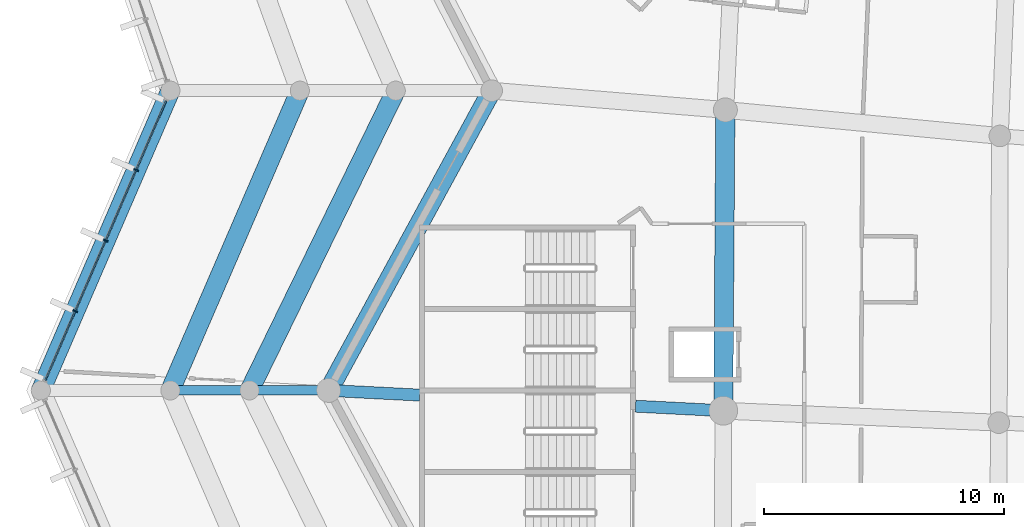
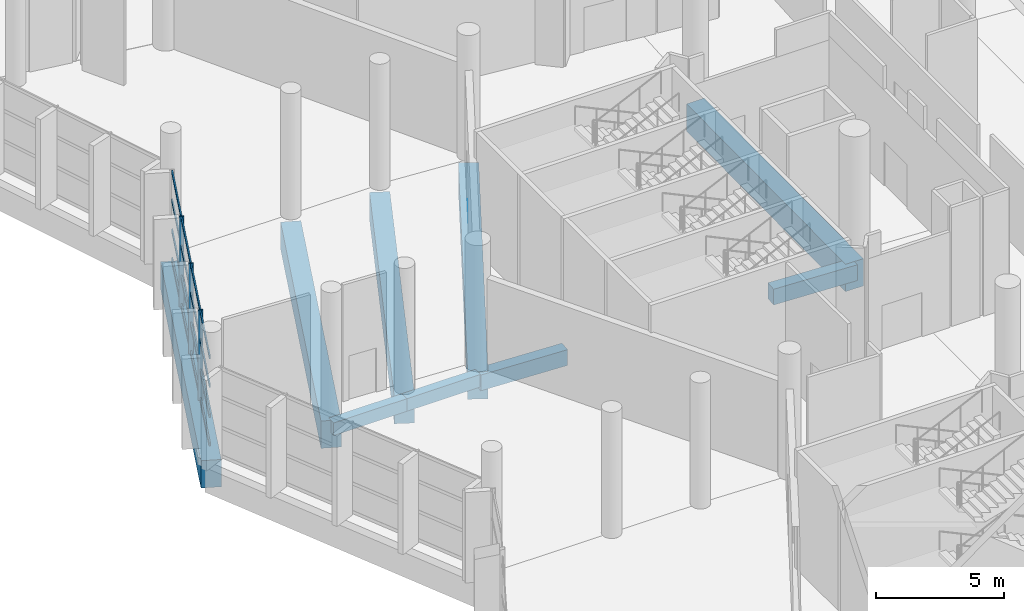
# One storey, part 54 of 249: 19 members, 9 beams, 1 element without a shape of its own.
"""IFC4 building model written with IfcOpenShell, lengths in metres."""

from ifc_helpers import new_model, si_unit, direction, frame, origin, origin_2d, place, context, subcontext, project, spatial, rectangle, extrude, material, layer, layer_set, material_profile, profile_set, type_object, element, aggregate, save


model = new_model("IFC4")

# Units and contexts
model_context = context("Model", 3, precision=1e-05, world=origin(), true_north=direction((0.0, 1.0)))
body_context = subcontext(model_context, "Body", "Model", "MODEL_VIEW")
ifc_project = project(units=[si_unit("LENGTHUNIT", "METRE"), si_unit("AREAUNIT", "SQUARE_METRE"), si_unit("VOLUMEUNIT", "CUBIC_METRE"), si_unit("PLANEANGLEUNIT", "RADIAN"), si_unit("MASSUNIT", "GRAM", prefix="KILO")], contexts=[model_context])

# Site, building, storey
site_placement = place(None, origin())
site = spatial("IfcSite", under=ifc_project, at=site_placement, CompositionType="ELEMENT")
building_placement = place(site_placement, origin())
building = spatial("IfcBuilding", under=site, at=building_placement, Name="Meseta Stadium", CompositionType="ELEMENT")
storey_placement = place(building_placement, frame((0.0, 0.0, 12.0)))
storey = spatial("IfcBuildingStorey", under=building, at=storey_placement, Name="L02", CompositionType="ELEMENT", Elevation=12.0)

# Beams
ifc_material_1 = material(Name="Concrete C40/50", Category="concrete")
ifc_material_profile_1 = material_profile(ifc_material_1, rectangle(XDim=0.39990234375, YDim=0.60009765625, at=origin_2d()), Name="RC 400x600")
ifc_profile_set_1 = profile_set([ifc_material_profile_1], Name="Concrete C40/50")
beam_type_1 = type_object("IfcBeamType", Name="RC beam 400x600", PredefinedType="BEAM", material=ifc_profile_set_1)
for number, where, z_axis, x_axis, name in (
    (1, (-101.39990234375, 31.25, -0.64990234375), (-1.0, 0.0, 0.0), (0.0, -1.0, 0.0), "L02 radial beam frame 30 line R to M"),
    (2, (-104.699951171875, 31.25, -0.64990234375), (-1.0, 0.0, 0.0), (0.0, -1.0, 0.0), "L02 radial beam frame 30 line M to Q"),
):
    element("IfcBeam", number, at=place(storey_placement, frame(where, z_axis=z_axis, x_axis=x_axis)), inside=storey, type_object=beam_type_1, Name=name, PredefinedType="BEAM", context=body_context, shape_type="SweptSolid", body=[
        extrude(rectangle(XDim=0.39990234375, YDim=0.60009765625, at=origin_2d()), origin(), (0.0, 0.0, 1.0), 3.300048828125),
    ])
ifc_material_2 = material(Name="Concrete C40/50", Category="concrete")
ifc_material_profile_2 = material_profile(ifc_material_2, rectangle(XDim=0.5, YDim=0.75, at=origin_2d()), Name="RC 500x750")
ifc_profile_set_2 = profile_set([ifc_material_profile_2], Name="Concrete C40/50")
beam_type_2 = type_object("IfcBeamType", Name="RC beam 500x750", PredefinedType="BEAM", material=ifc_profile_set_2)
beam_1_placement = place(storey_placement, frame((-84.940673828125, 30.404052734375, -0.72509765625), z_axis=(-0.998683115753, 0.051303355736, 0.0), x_axis=(-0.051303355736, -0.998683115753, 0.0)))
element("IfcBeam", 3, at=beam_1_placement, inside=storey, type_object=beam_type_2, Name="L02 radial beam frame 30 line P to R", PredefinedType="BEAM", context=body_context, shape_type="SweptSolid", body=[
    extrude(rectangle(XDim=0.5, YDim=0.75, at=origin_2d()), origin(), (0.0, 0.0, 1.0), 3.664306640625),
])
beam_2_placement = place(storey_placement, frame((-97.60009765625, 31.0546875, -0.72509765625), z_axis=(-0.998681597522, 0.05133290144, 0.0), x_axis=(-0.05133290144, -0.998681597522, 0.0)))
element("IfcBeam", 4, at=beam_2_placement, inside=storey, type_object=beam_type_2, Name="L02 radial beam frame 30 line P to R", PredefinedType="BEAM", context=body_context, shape_type="SweptSolid", body=[
    extrude(rectangle(XDim=0.5, YDim=0.75, at=origin_2d()), origin(), (0.0, 0.0, 1.0), 3.804931640625),
])
ifc_material_3 = material(Name="Concrete C40/50", Category="concrete")
ifc_material_profile_3 = material_profile(ifc_material_3, rectangle(XDim=0.800048828125, YDim=1.300048828125, at=origin_2d()), Name="RC 800x1300")
ifc_profile_set_3 = profile_set([ifc_material_profile_3], Name="Concrete C40/50")
beam_type_3 = type_object("IfcBeamType", Name="RC beam 800x1300", PredefinedType="BEAM", material=ifc_profile_set_3)
beam_3_placement = place(storey_placement, frame((-84.85400390625, 42.948486328125, -1.0), z_axis=(-0.006908869398, -0.999976133477, 0.0), x_axis=(0.999976133477, -0.006908869398, 0.0)))
element("IfcBeam", 5, at=beam_3_placement, inside=storey, type_object=beam_type_3, Name="L02 ring beam frame 29 line P", PredefinedType="BEAM", context=body_context, shape_type="SweptSolid", body=[
    extrude(rectangle(XDim=0.800048828125, YDim=1.300048828125, at=origin_2d()), origin(), (0.0, 0.0, 1.0), 12.544677734375),
])
beam_4_placement = place(storey_placement, frame((-94.60009765625, 43.75, -1.0), z_axis=(-0.47785649891, -0.878437912689, 0.0), x_axis=(0.878437912689, -0.47785649891, 0.0)))
element("IfcBeam", 6, at=beam_4_placement, inside=storey, type_object=beam_type_3, Name="L02 ring beam frame 29 line R", PredefinedType="BEAM", context=body_context, shape_type="SweptSolid", body=[
    extrude(rectangle(XDim=0.800048828125, YDim=1.300048828125, at=origin_2d()), origin(), (0.0, 0.0, 1.0), 14.229736328125),
])
beam_5_placement = place(storey_placement, frame((-98.60009765625, 43.75, -1.0), z_axis=(-0.438556770405, -0.898703487882, 0.0), x_axis=(0.898703487882, -0.438556770405, 0.0)))
element("IfcBeam", 7, at=beam_5_placement, inside=storey, type_object=beam_type_3, Name="L02 ring beam frame 29 line M", PredefinedType="BEAM", context=body_context, shape_type="SweptSolid", body=[
    extrude(rectangle(XDim=0.800048828125, YDim=1.300048828125, at=origin_2d()), origin(), (0.0, 0.0, 1.0), 13.908935546875),
])
for number, where, z_axis, x_axis, name in (
    (8, (-102.60009765625, 43.75, -1.0), (-0.396570645327, -0.918004206562, 0.0), (0.918004206562, -0.396570645327, 0.0), "L02 ring beam frame 29 line Q"),
    (9, (-108.0, 43.75, -1.0), (-0.396570645327, -0.918004206562, 0.0), (0.918004206562, -0.396570645327, 0.0), "L02 ring beam frame 29 line O"),
):
    element("IfcBeam", number, at=place(storey_placement, frame(where, z_axis=z_axis, x_axis=x_axis)), inside=storey, type_object=beam_type_3, Name=name, PredefinedType="BEAM", context=body_context, shape_type="SweptSolid", body=[
        extrude(rectangle(XDim=0.800048828125, YDim=1.300048828125, at=origin_2d()), origin(), (0.0, 0.0, 1.0), 13.616455078125),
    ])

# Curtain wall, members
ifc_material_4 = material(Name="Aluminium", Category="aluminium")
ifc_layer = layer(ifc_material_4, 0.199951171875)
ifc_layer_set = layer_set([ifc_layer], Name="Ring shopfront curtain wall")
curtain_wall_type = type_object("IfcCurtainWallType", Name="Ring shopfront curtain wall", PredefinedType="NOTDEFINED", material=ifc_layer_set)
curtain_wall_placement = place(storey_placement, origin())
curtain_wall = element("IfcCurtainWall", 10, at=curtain_wall_placement, inside=storey, type_object=curtain_wall_type, Name="Ring glazing L02 F29", PredefinedType="NOTDEFINED")
ifc_material_5 = material(Name="Aluminium", Category="aluminium")
ifc_material_profile_4 = material_profile(ifc_material_5, rectangle(XDim=0.199951171875, YDim=0.06005859375, at=origin_2d()), Name="CW 200x60")
ifc_profile_set_4 = profile_set([ifc_material_profile_4], Name="Aluminium")
member_type_1 = type_object("IfcMemberType", Name="Ring CW mullion 60x200", PredefinedType="MULLION", material=ifc_profile_set_4)
member_1_placement = place(storey_placement, frame((-109.42919921875, 40.44140625, 0.0), z_axis=(0.0, 0.0, 1.0), x_axis=(0.91799986854, -0.396580687073, 0.0)))
member_1 = element("IfcMember", 11, at=member_1_placement, type_object=member_type_1, Name="CWR1 mullion 2", PredefinedType="MULLION", context=body_context, shape_type="SweptSolid", body=[
    extrude(rectangle(XDim=0.199951171875, YDim=0.06005859375, at=origin_2d()), origin(), (0.0, 0.0, 1.0), 4.300048828125),
])
member_2_placement = place(storey_placement, frame((-110.699951171875, 37.5, 0.0), z_axis=(0.0, 0.0, 1.0), x_axis=(0.91799986854, -0.396580687073, 0.0)))
member_2 = element("IfcMember", 12, at=member_2_placement, type_object=member_type_1, Name="CWR1 mullion 3", PredefinedType="MULLION", context=body_context, shape_type="SweptSolid", body=[
    extrude(rectangle(XDim=0.199951171875, YDim=0.06005859375, at=origin_2d()), origin(), (0.0, 0.0, 1.0), 4.300048828125),
])
member_3_placement = place(storey_placement, frame((-111.970703125, 34.55859375, 0.0), z_axis=(0.0, 0.0, 1.0), x_axis=(0.91799986854, -0.396580687073, 0.0)))
member_3 = element("IfcMember", 13, at=member_3_placement, type_object=member_type_1, Name="CWR1 mullion 4", PredefinedType="MULLION", context=body_context, shape_type="SweptSolid", body=[
    extrude(rectangle(XDim=0.199951171875, YDim=0.06005859375, at=origin_2d()), origin(), (0.0, 0.0, 1.0), 4.300048828125),
])
ifc_material_6 = material(Name="Aluminium", Category="aluminium")
ifc_material_profile_5 = material_profile(ifc_material_6, rectangle(XDim=0.06005859375, YDim=0.14990234375, at=origin_2d()), Name="CW 60x150")
ifc_profile_set_5 = profile_set([ifc_material_profile_5], Name="Aluminium")
member_type_2 = type_object("IfcMemberType", Name="Ring CW transom 60x150", PredefinedType="USERDEFINED", material=ifc_profile_set_5)
member_4_placement = place(storey_placement, frame((-108.182373046875, 43.32763671875, 0.074951171875), z_axis=(-0.396623730244, -0.917981272471, 0.0), x_axis=(0.917981272471, -0.396623730244, 0.0)))
member_4 = element("IfcMember", 14, at=member_4_placement, type_object=member_type_2, Name="CWR1 transom 1.1", ObjectType="TRANSOM", PredefinedType="USERDEFINED", context=body_context, shape_type="SweptSolid", body=[
    extrude(rectangle(XDim=0.06005859375, YDim=0.14990234375, at=origin_2d()), origin(), (0.0, 0.0, 1.0), 3.114013671875),
])
member_5_placement = place(storey_placement, frame((-108.182373046875, 43.32763671875, 1.433349609375), z_axis=(-0.396623730244, -0.917981272471, 0.0), x_axis=(0.917981272471, -0.396623730244, 0.0)))
member_5 = element("IfcMember", 15, at=member_5_placement, type_object=member_type_2, Name="CWR1 transom 1.2", ObjectType="TRANSOM", PredefinedType="USERDEFINED", context=body_context, shape_type="SweptSolid", body=[
    extrude(rectangle(XDim=0.06005859375, YDim=0.14990234375, at=origin_2d()), origin(), (0.0, 0.0, 1.0), 3.114013671875),
])
member_6_placement = place(storey_placement, frame((-108.182373046875, 43.32763671875, 2.86669921875), z_axis=(-0.396623730244, -0.917981272471, 0.0), x_axis=(0.917981272471, -0.396623730244, 0.0)))
member_6 = element("IfcMember", 16, at=member_6_placement, type_object=member_type_2, Name="CWR1 transom 1.3", ObjectType="TRANSOM", PredefinedType="USERDEFINED", context=body_context, shape_type="SweptSolid", body=[
    extrude(rectangle(XDim=0.06005859375, YDim=0.14990234375, at=origin_2d()), origin(), (0.0, 0.0, 1.0), 3.114013671875),
])
member_7_placement = place(storey_placement, frame((-108.182373046875, 43.32763671875, 4.22509765625), z_axis=(-0.396623730244, -0.917981272471, 0.0), x_axis=(0.917981272471, -0.396623730244, 0.0)))
member_7 = element("IfcMember", 17, at=member_7_placement, type_object=member_type_2, Name="CWR1 transom 1.4", ObjectType="TRANSOM", PredefinedType="USERDEFINED", context=body_context, shape_type="SweptSolid", body=[
    extrude(rectangle(XDim=0.06005859375, YDim=0.14990234375, at=origin_2d()), origin(), (0.0, 0.0, 1.0), 3.114013671875),
])
member_8_placement = place(storey_placement, frame((-109.441162109375, 40.413818359375, 0.074951171875), z_axis=(-0.396569883564, -0.918004535637, 0.0), x_axis=(0.918004535637, -0.396569883564, 0.0)))
member_8 = element("IfcMember", 18, at=member_8_placement, type_object=member_type_2, Name="CWR1 transom 2.1", ObjectType="TRANSOM", PredefinedType="USERDEFINED", context=body_context, shape_type="SweptSolid", body=[
    extrude(rectangle(XDim=0.06005859375, YDim=0.14990234375, at=origin_2d()), origin(), (0.0, 0.0, 1.0), 3.14404296875),
])
member_9_placement = place(storey_placement, frame((-109.441162109375, 40.413818359375, 1.433349609375), z_axis=(-0.396569883564, -0.918004535637, 0.0), x_axis=(0.918004535637, -0.396569883564, 0.0)))
member_9 = element("IfcMember", 19, at=member_9_placement, type_object=member_type_2, Name="CWR1 transom 2.2", ObjectType="TRANSOM", PredefinedType="USERDEFINED", context=body_context, shape_type="SweptSolid", body=[
    extrude(rectangle(XDim=0.06005859375, YDim=0.14990234375, at=origin_2d()), origin(), (0.0, 0.0, 1.0), 3.14404296875),
])
member_10_placement = place(storey_placement, frame((-109.441162109375, 40.413818359375, 2.86669921875), z_axis=(-0.396569883564, -0.918004535637, 0.0), x_axis=(0.918004535637, -0.396569883564, 0.0)))
member_10 = element("IfcMember", 20, at=member_10_placement, type_object=member_type_2, Name="CWR1 transom 2.3", ObjectType="TRANSOM", PredefinedType="USERDEFINED", context=body_context, shape_type="SweptSolid", body=[
    extrude(rectangle(XDim=0.06005859375, YDim=0.14990234375, at=origin_2d()), origin(), (0.0, 0.0, 1.0), 3.14404296875),
])
member_11_placement = place(storey_placement, frame((-109.441162109375, 40.413818359375, 4.22509765625), z_axis=(-0.396569883564, -0.918004535637, 0.0), x_axis=(0.918004535637, -0.396569883564, 0.0)))
member_11 = element("IfcMember", 21, at=member_11_placement, type_object=member_type_2, Name="CWR1 transom 2.4", ObjectType="TRANSOM", PredefinedType="USERDEFINED", context=body_context, shape_type="SweptSolid", body=[
    extrude(rectangle(XDim=0.06005859375, YDim=0.14990234375, at=origin_2d()), origin(), (0.0, 0.0, 1.0), 3.14404296875),
])
member_12_placement = place(storey_placement, frame((-110.7119140625, 37.472412109375, 0.074951171875), z_axis=(-0.396569883564, -0.918004535637, 0.0), x_axis=(0.918004535637, -0.396569883564, 0.0)))
member_12 = element("IfcMember", 22, at=member_12_placement, type_object=member_type_2, Name="CWR1 transom 3.1", ObjectType="TRANSOM", PredefinedType="USERDEFINED", context=body_context, shape_type="SweptSolid", body=[
    extrude(rectangle(XDim=0.06005859375, YDim=0.14990234375, at=origin_2d()), origin(), (0.0, 0.0, 1.0), 3.14404296875),
])
member_13_placement = place(storey_placement, frame((-110.7119140625, 37.472412109375, 1.433349609375), z_axis=(-0.396569883564, -0.918004535637, 0.0), x_axis=(0.918004535637, -0.396569883564, 0.0)))
member_13 = element("IfcMember", 23, at=member_13_placement, type_object=member_type_2, Name="CWR1 transom 3.2", ObjectType="TRANSOM", PredefinedType="USERDEFINED", context=body_context, shape_type="SweptSolid", body=[
    extrude(rectangle(XDim=0.06005859375, YDim=0.14990234375, at=origin_2d()), origin(), (0.0, 0.0, 1.0), 3.14404296875),
])
member_14_placement = place(storey_placement, frame((-110.7119140625, 37.472412109375, 2.86669921875), z_axis=(-0.396569883564, -0.918004535637, 0.0), x_axis=(0.918004535637, -0.396569883564, 0.0)))
member_14 = element("IfcMember", 24, at=member_14_placement, type_object=member_type_2, Name="CWR1 transom 3.3", ObjectType="TRANSOM", PredefinedType="USERDEFINED", context=body_context, shape_type="SweptSolid", body=[
    extrude(rectangle(XDim=0.06005859375, YDim=0.14990234375, at=origin_2d()), origin(), (0.0, 0.0, 1.0), 3.14404296875),
])
member_15_placement = place(storey_placement, frame((-110.7119140625, 37.472412109375, 4.22509765625), z_axis=(-0.396569883564, -0.918004535637, 0.0), x_axis=(0.918004535637, -0.396569883564, 0.0)))
member_15 = element("IfcMember", 25, at=member_15_placement, type_object=member_type_2, Name="CWR1 transom 3.4", ObjectType="TRANSOM", PredefinedType="USERDEFINED", context=body_context, shape_type="SweptSolid", body=[
    extrude(rectangle(XDim=0.06005859375, YDim=0.14990234375, at=origin_2d()), origin(), (0.0, 0.0, 1.0), 3.14404296875),
])
member_16_placement = place(storey_placement, frame((-111.982666015625, 34.531005859375, 0.074951171875), z_axis=(-0.396557660608, -0.91800981575, 0.0), x_axis=(0.91800981575, -0.396557660608, 0.0)))
member_16 = element("IfcMember", 26, at=member_16_placement, type_object=member_type_2, Name="CWR1 transom 4.1", ObjectType="TRANSOM", PredefinedType="USERDEFINED", context=body_context, shape_type="SweptSolid", body=[
    extrude(rectangle(XDim=0.06005859375, YDim=0.14990234375, at=origin_2d()), origin(), (0.0, 0.0, 1.0), 3.114013671875),
])
member_17_placement = place(storey_placement, frame((-111.982666015625, 34.531005859375, 1.433349609375), z_axis=(-0.396557660608, -0.91800981575, 0.0), x_axis=(0.91800981575, -0.396557660608, 0.0)))
member_17 = element("IfcMember", 27, at=member_17_placement, type_object=member_type_2, Name="CWR1 transom 4.2", ObjectType="TRANSOM", PredefinedType="USERDEFINED", context=body_context, shape_type="SweptSolid", body=[
    extrude(rectangle(XDim=0.06005859375, YDim=0.14990234375, at=origin_2d()), origin(), (0.0, 0.0, 1.0), 3.114013671875),
])
member_18_placement = place(storey_placement, frame((-111.982666015625, 34.531005859375, 2.86669921875), z_axis=(-0.396557660608, -0.91800981575, 0.0), x_axis=(0.91800981575, -0.396557660608, 0.0)))
member_18 = element("IfcMember", 28, at=member_18_placement, type_object=member_type_2, Name="CWR1 transom 4.3", ObjectType="TRANSOM", PredefinedType="USERDEFINED", context=body_context, shape_type="SweptSolid", body=[
    extrude(rectangle(XDim=0.06005859375, YDim=0.14990234375, at=origin_2d()), origin(), (0.0, 0.0, 1.0), 3.114013671875),
])
member_19_placement = place(storey_placement, frame((-111.982666015625, 34.531005859375, 4.22509765625), z_axis=(-0.396557660608, -0.91800981575, 0.0), x_axis=(0.91800981575, -0.396557660608, 0.0)))
member_19 = element("IfcMember", 29, at=member_19_placement, type_object=member_type_2, Name="CWR1 transom 4.4", ObjectType="TRANSOM", PredefinedType="USERDEFINED", context=body_context, shape_type="SweptSolid", body=[
    extrude(rectangle(XDim=0.06005859375, YDim=0.14990234375, at=origin_2d()), origin(), (0.0, 0.0, 1.0), 3.114013671875),
])
aggregate(curtain_wall, [member_1, member_2, member_3, member_4, member_5, member_6, member_7, member_8, member_9, member_10, member_11, member_12, member_13, member_14, member_15, member_16, member_17, member_18, member_19])

save(model, "model.ifc")
